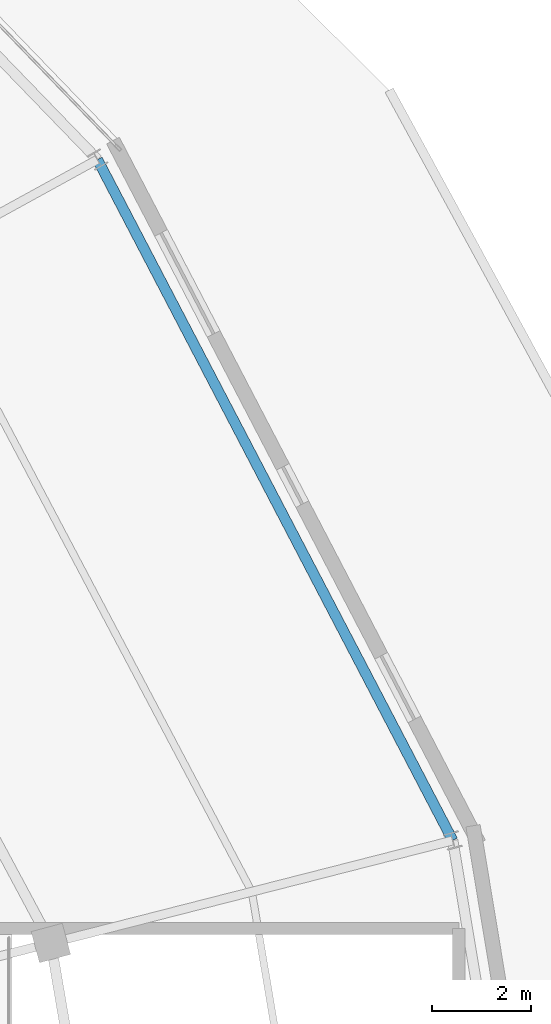
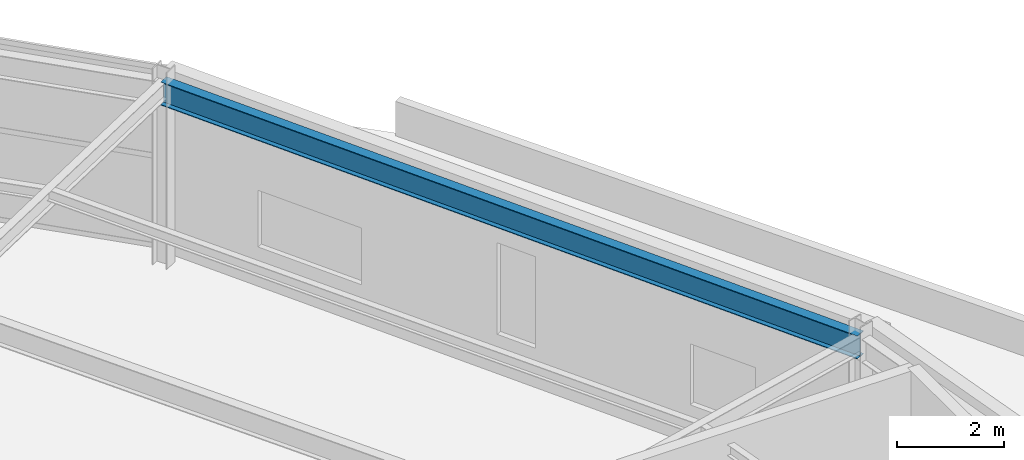
# One storey, part 89 of 126: 1 beam.
"""IFC4 building model written with IfcOpenShell, lengths in metres."""

from ifc_helpers import new_model, si_unit, direction, frame, origin, origin_2d, place, context, subcontext, project, spatial, i_section, extrude, material, material_profile, profile_set, type_object, element, save


model = new_model("IFC4")

# Units and contexts
model_context = context("Model", 3, precision=1e-05, world=origin(), true_north=direction((0.0, 1.0)))
body_context = subcontext(model_context, "Body", "Model", "MODEL_VIEW")
ifc_project = project(units=[si_unit("LENGTHUNIT", "METRE"), si_unit("AREAUNIT", "SQUARE_METRE"), si_unit("VOLUMEUNIT", "CUBIC_METRE"), si_unit("PLANEANGLEUNIT", "RADIAN"), si_unit("MASSUNIT", "GRAM", prefix="KILO")], contexts=[model_context])

# Site, building, storey
site_placement = place(None, origin())
site = spatial("IfcSite", under=ifc_project, at=site_placement, CompositionType="ELEMENT")
building_placement = place(site_placement, origin())
building = spatial("IfcBuilding", under=site, at=building_placement, Name="Kalgoora Escarpment Arena", CompositionType="ELEMENT")
storey_placement = place(building_placement, frame((0.0, 0.0, 18.89990234375)))
storey = spatial("IfcBuildingStorey", under=building, at=storey_placement, Name="L04", CompositionType="ELEMENT", Elevation=18.89990234375)

# Beam
ifc_material = material(Name="Structural steel AS/NZS 3679 (300 MPa)", Category="steel")
ifc_material_profile = material_profile(ifc_material, i_section(OverallWidth=0.208984375, OverallDepth=0.532958984375, WebThickness=0.01025390625, FlangeThickness=0.015625, at=origin_2d()))
ifc_profile_set = profile_set([ifc_material_profile], Name="Structural steel AS/NZS 3679 (300 MPa)")
beam_type = type_object("IfcBeamType", Name="BM-SPANDREL-530UB92.4", PredefinedType="SPANDREL", material=ifc_profile_set)
beam_placement = place(storey_placement, frame((161.75341796875, 78.752685546875, 3.943603515625), z_axis=(-0.462583225327, 0.886575862319, 0.0), x_axis=(-0.886575862319, -0.462583225327, 0.0)))
element("IfcBeam", 1, at=beam_placement, inside=storey, type_object=beam_type, Name="L04 Circumferential concourse girder RCONC2 530UB92.4", PredefinedType="SPANDREL", context=body_context, shape_type="SweptSolid", body=[
    extrude(i_section(OverallWidth=0.208984375, OverallDepth=0.532958984375, WebThickness=0.01025390625, FlangeThickness=0.015625, at=origin_2d()), origin(), (0.0, 0.0, 1.0), 15.506103515625),
])

save(model, "model.ifc")
